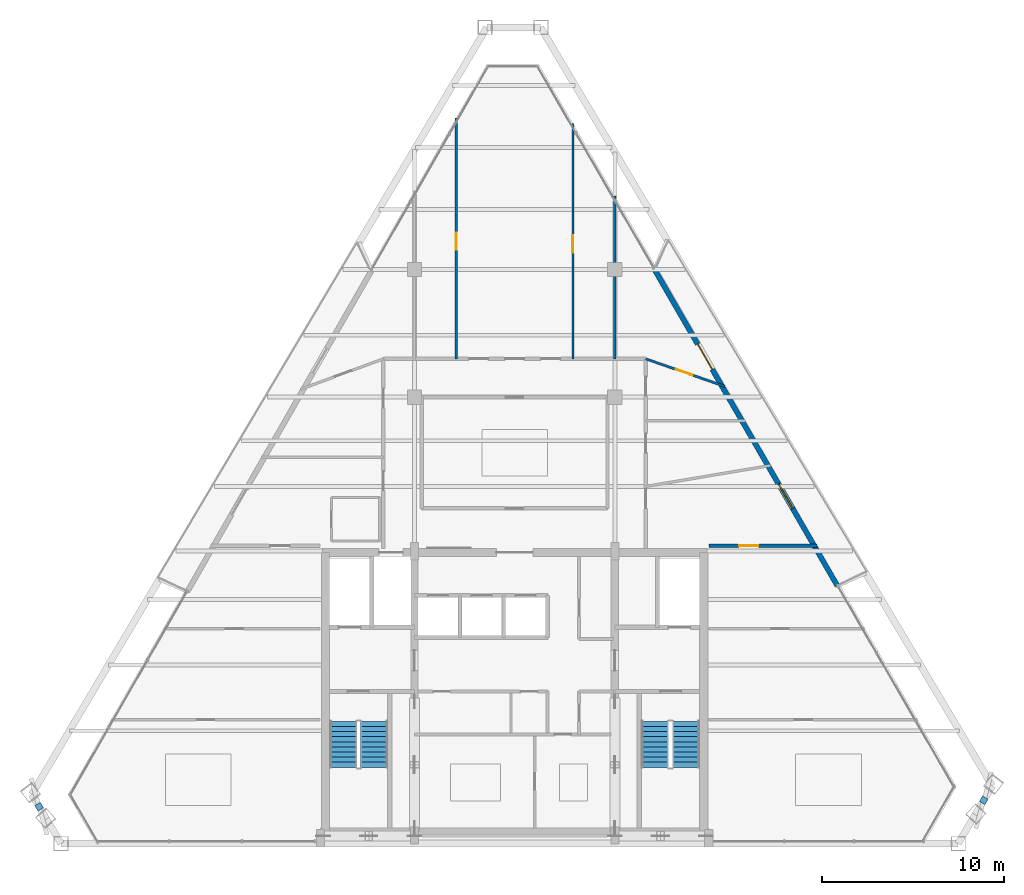
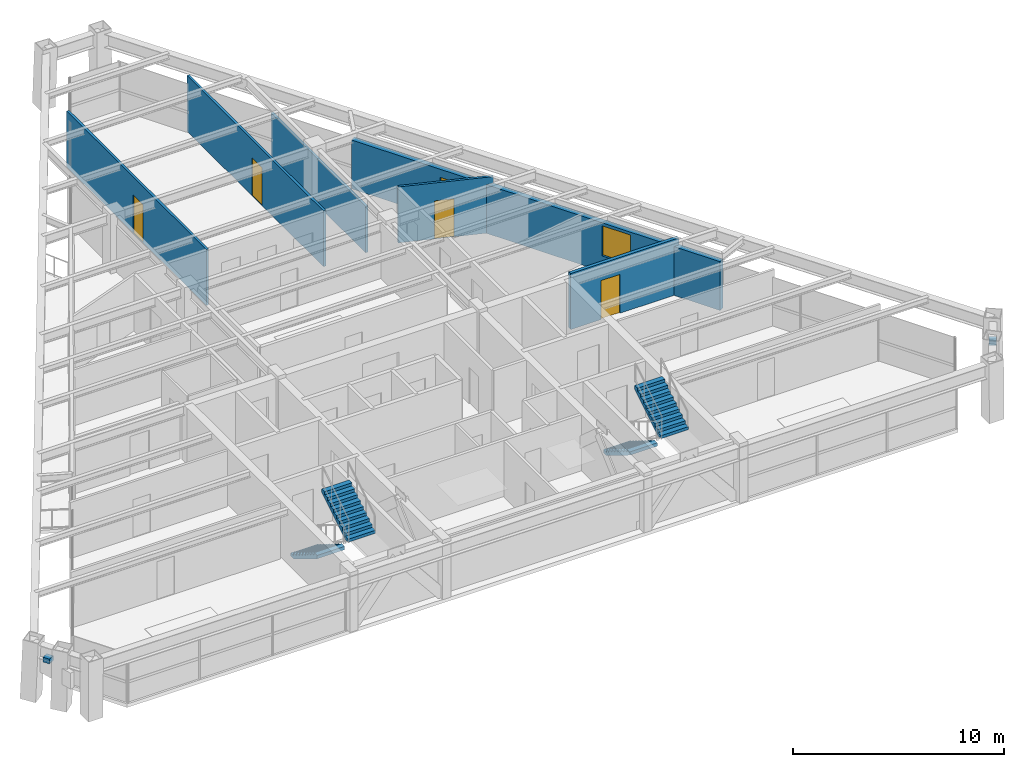
# One storey, part 11 of 13: 6 walls, 5 doors, 4 stair flights, 2 discrete accessories, 1 window, 6 openings, 2 elements without a shape of their own.
"""IFC4 building model written with IfcOpenShell, lengths in metres."""

from ifc_helpers import new_model, si_unit, direction, frame, frame_2d, origin, origin_2d, place, context, subcontext, project, spatial, polyline, rectangle, outline, extrude, source, transform, mapped, material, layer, layer_set, type_object, type_shapes, element, fill, aggregate, save


model = new_model("IFC4")

# Units and contexts
model_context = context("Model", 3, precision=1e-05, world=origin(), true_north=direction((0.0, 1.0)))
body_context = subcontext(model_context, "Body", "Model", "MODEL_VIEW")
ifc_project = project(units=[si_unit("LENGTHUNIT", "METRE"), si_unit("AREAUNIT", "SQUARE_METRE"), si_unit("VOLUMEUNIT", "CUBIC_METRE"), si_unit("PLANEANGLEUNIT", "RADIAN"), si_unit("MASSUNIT", "GRAM", prefix="KILO")], contexts=[model_context])

# Site, building, storey
site_placement = place(None, origin())
site = spatial("IfcSite", under=ifc_project, at=site_placement, CompositionType="ELEMENT")
building_placement = place(site_placement, origin())
building = spatial("IfcBuilding", under=site, at=building_placement, Name="Varnakhor Terracotta Tower", CompositionType="ELEMENT")
storey_placement = place(building_placement, frame((0.0, 0.0, 293.699951171875)))
storey = spatial("IfcBuildingStorey", under=building, at=storey_placement, Name="L77", CompositionType="ELEMENT", Elevation=293.699951171875)

# Wall, opening, door
ifc_material_1 = material(Name="Fire-Rated Gypsum Stud Partition", Category="gypsum")
ifc_layer_1 = layer(ifc_material_1, 0.18505859375, Name="Fire-Rated Gypsum Stud Partition")
ifc_layer_set_1 = layer_set([ifc_layer_1], Name="Fire-Rated Gypsum Stud Partition")
wall_type_1 = type_object("IfcWallType", Name="WAL-CORR-185", PredefinedType="PARTITIONING", material=ifc_layer_set_1)
wall_1_placement = place(storey_placement, frame((10.679931640625, 16.35009765625, 0.0), z_axis=(0.0, 0.0, 1.0), x_axis=(1.0, 0.0, 0.0)))
wall_1 = element("IfcWall", 1, at=wall_1_placement, inside=storey, type_object=wall_type_1, Name="L77 South East Guest Entry Wall", PredefinedType="PARTITIONING", context=body_context, shape_type="SweptSolid", body=[
    extrude(rectangle(XDim=5.908935546875, YDim=0.18505859375, at=frame_2d((2.95458984375, 0.0))), origin(), (0.0, 0.0, 1.0), 3.23193359375),
])
opening_1_placement = place(wall_1_placement, frame((1.64501953125, 0.0, 0.0)))
opening_1 = element("IfcOpeningElement", 2, at=opening_1_placement, cuts=wall_1, Name="Opening DR-95", PredefinedType="OPENING", context=body_context, shape_type="SweptSolid", body=[
    extrude(rectangle(XDim=1.050048828125, YDim=2.25, at=frame_2d((0.52490234375, 1.125))), frame((0.0, 0.1025390625, 0.0), z_axis=(0.0, -1.0, 0.0), x_axis=(1.0, 0.0, 0.0)), (0.0, 0.0, 1.0), 0.205078125),
])
ifc_material_2 = material(Name="Solid-Core Timber Tenant/Hotel Entrance Door", Category="wood")
door_type_1 = type_object("IfcDoorType", Name="DR-SUITE-1050X2250", OperationType="NOTDEFINED", PredefinedType="DOOR", material=ifc_material_2)
shared_shape_1 = source(origin(), body_context, "Body", "SweptSolid", [
    extrude(rectangle(XDim=1.050048828125, YDim=2.25, at=frame_2d((0.52490234375, 1.125))), frame((0.0, 0.02490234375, 0.0), z_axis=(0.0, -1.0, 0.0), x_axis=(1.0, 0.0, 0.0)), (0.0, 0.0, 1.0), 0.050048828125),
])
type_shapes(door_type_1, [shared_shape_1])
door_1_placement = place(opening_1_placement, origin())
door_1 = element("IfcDoor", 3, at=door_1_placement, inside=storey, type_object=door_type_1, Name="L77 SE Suite Entry Door", OperationType="SINGLE_SWING_LEFT", OverallHeight=2.25, OverallWidth=1.050048828125, PredefinedType="DOOR", context=body_context, shape_type="MappedRepresentation", body=[
    mapped(shared_shape_1, transform((0.0, 0.0, 0.0), scale=1.0)),
])
fill(opening_1, door_1)

# Wall, openings, door, window
ifc_material_3 = material(Name="Extruded Architectural Terracotta Assembly", Category="masonry")
ifc_layer_2 = layer(ifc_material_3, 0.280029296875, Name="Extruded Architectural Terracotta Assembly")
ifc_layer_set_2 = layer_set([ifc_layer_2], Name="Extruded Architectural Terracotta Assembly")
wall_type_2 = type_object("IfcWallType", Name="WAL-EXT-TERRACOTTA-280", PredefinedType="SOLIDWALL", material=ifc_layer_set_2)
wall_2_placement = place(storey_placement, frame((7.625732421875, 31.593017578125, 0.0), z_axis=(0.0, 0.0, 1.0), x_axis=(0.500533605719, -0.865717107112, 0.0)))
wall_2 = element("IfcWall", 4, at=wall_2_placement, inside=storey, type_object=wall_type_2, Name="L77 E Loggia Insulated Terracotta Wall", PredefinedType="SOLIDWALL", context=body_context, shape_type="SweptSolid", body=[
    extrude(rectangle(XDim=20.14453125, YDim=0.280029296875, at=frame_2d((10.072265625, 0.0))), origin(), (0.0, 0.0, 1.0), 2.820068359375),
])
opening_2_placement = place(wall_2_placement, frame((4.834716796875, 0.0, 0.0)))
opening_2 = element("IfcOpeningElement", 5, at=opening_2_placement, cuts=wall_2, Name="Opening DR-62", PredefinedType="OPENING", context=body_context, shape_type="SweptSolid", body=[
    extrude(rectangle(XDim=1.60009765625, YDim=2.35009765625, at=frame_2d((0.800048828125, 1.175048828125))), frame((0.0, 0.14990234375, 0.0), z_axis=(0.0, -1.0, 0.0), x_axis=(1.0, 0.0, 0.0)), (0.0, 0.0, 1.0), 0.300048828125),
])
opening_3_placement = place(wall_2_placement, frame((13.6982421875, 0.0, 0.89990234375)))
opening_3 = element("IfcOpeningElement", 6, at=opening_3_placement, cuts=wall_2, Name="Opening WN-59", PredefinedType="OPENING", context=body_context, shape_type="SweptSolid", body=[
    extrude(rectangle(XDim=1.550048828125, YDim=1.75, at=frame_2d((0.77490234375, 0.875))), frame((0.0, 0.14990234375, 0.0), z_axis=(0.0, -1.0, 0.0), x_axis=(1.0, 0.0, 0.0)), (0.0, 0.0, 1.0), 0.300048828125),
])
ifc_material_4 = material(Name="Thermally Broken Sliding Glass Loggia Door", Category="glass")
door_type_2 = type_object("IfcDoorType", Name="DR-EXT-LOGGIA-1600X2350", OperationType="NOTDEFINED", PredefinedType="DOOR", material=ifc_material_4)
shared_shape_2 = source(origin(), body_context, "Body", "SweptSolid", [
    extrude(rectangle(XDim=1.60009765625, YDim=2.35009765625, at=frame_2d((0.800048828125, 1.175048828125))), frame((0.0, 0.02490234375, 0.0), z_axis=(0.0, -1.0, 0.0), x_axis=(1.0, 0.0, 0.0)), (0.0, 0.0, 1.0), 0.050048828125),
])
type_shapes(door_type_2, [shared_shape_2])
door_2_placement = place(opening_2_placement, origin())
door_2 = element("IfcDoor", 7, at=door_2_placement, inside=storey, type_object=door_type_2, Name="L77 E Recessed Loggia Sliding Door", OperationType="SLIDING_TO_RIGHT", OverallHeight=2.35009765625, OverallWidth=1.60009765625, PredefinedType="DOOR", context=body_context, shape_type="MappedRepresentation", body=[
    mapped(shared_shape_2, transform((0.0, 0.0, 0.0), scale=1.0)),
])
fill(opening_2, door_2)
ifc_material_5 = material(Name="Solar-Control Low-E Insulated Glass Unit", Category="glass")
window_type = type_object("IfcWindowType", Name="WIN-HTL-1500X1950", PartitioningType="SINGLE_PANEL", PredefinedType="WINDOW", material=ifc_material_5)
shared_shape_3 = source(origin(), body_context, "Body", "SweptSolid", [
    extrude(rectangle(XDim=1.550048828125, YDim=1.75, at=frame_2d((0.77490234375, 0.875))), frame((0.0, 0.030029296875, 0.0), z_axis=(0.0, -1.0, 0.0), x_axis=(1.0, 0.0, 0.0)), (0.0, 0.0, 1.0), 0.06005859375),
])
type_shapes(window_type, [shared_shape_3])
window_placement = place(opening_3_placement, origin())
window = element("IfcWindow", 8, at=window_placement, inside=storey, type_object=window_type, Name="L77 E Facet Punched Window", OverallHeight=1.75, OverallWidth=1.550048828125, PartitioningType="SINGLE_PANEL", PredefinedType="WINDOW", context=body_context, shape_type="MappedRepresentation", body=[
    mapped(shared_shape_3, transform((0.0, 0.0, 0.0), scale=1.0)),
])
fill(opening_3, window)

# Wall, opening, door
ifc_material_6 = material(Name="Acoustic Hotel Room Partition", Category="gypsum")
ifc_layer_3 = layer(ifc_material_6, 0.1298828125, Name="Acoustic Hotel Room Partition")
ifc_layer_set_3 = layer_set([ifc_layer_3], Name="Acoustic Hotel Room Partition")
wall_type_3 = type_object("IfcWallType", Name="WAL-PART-130", PredefinedType="PARTITIONING", material=ifc_layer_set_3)
wall_3_placement = place(storey_placement, frame((7.199951171875, 26.60009765625, 0.0), z_axis=(0.0, 0.0, 1.0), x_axis=(0.94445803841, -0.328632033866, 0.0)))
wall_3 = element("IfcWall", 9, at=wall_3_placement, inside=storey, type_object=wall_type_3, Name="L77 North East Suite South Wall", PredefinedType="PARTITIONING", context=body_context, shape_type="SweptSolid", body=[
    extrude(rectangle(XDim=4.589599609375, YDim=0.1298828125, at=frame_2d((2.294921875, 0.0))), origin(), (0.0, 0.0, 1.0), 3.23193359375),
])
opening_4_placement = place(wall_3_placement, frame((1.754638671875, 0.0, 0.0)))
opening_4 = element("IfcOpeningElement", 10, at=opening_4_placement, cuts=wall_3, Name="Opening DR-94", PredefinedType="OPENING", context=body_context, shape_type="SweptSolid", body=[
    extrude(rectangle(XDim=0.949951171875, YDim=2.199951171875, at=frame_2d((0.47509765625, 1.10009765625))), frame((0.0, 0.074951171875, 0.0), z_axis=(0.0, -1.0, 0.0), x_axis=(1.0, 0.0, 0.0)), (0.0, 0.0, 1.0), 0.14990234375),
])
ifc_material_7 = material(Name="Acoustic Glazed-Vision Timber Office Door", Category="wood")
door_type_3 = type_object("IfcDoorType", Name="DR-OFF-950X2200", OperationType="NOTDEFINED", PredefinedType="DOOR", material=ifc_material_7)
shared_shape_4 = source(origin(), body_context, "Body", "SweptSolid", [
    extrude(rectangle(XDim=0.949951171875, YDim=2.199951171875, at=frame_2d((0.47509765625, 1.10009765625))), frame((0.0, 0.02490234375, 0.0), z_axis=(0.0, -1.0, 0.0), x_axis=(1.0, 0.0, 0.0)), (0.0, 0.0, 1.0), 0.050048828125),
])
type_shapes(door_type_3, [shared_shape_4])
door_3_placement = place(opening_4_placement, origin())
door_3 = element("IfcDoor", 11, at=door_3_placement, inside=storey, type_object=door_type_3, Name="L77 Hearing Registry Office NE Door", OperationType="SINGLE_SWING_LEFT", OverallHeight=2.199951171875, OverallWidth=0.949951171875, PredefinedType="DOOR", context=body_context, shape_type="MappedRepresentation", body=[
    mapped(shared_shape_4, transform((0.0, 0.0, 0.0), scale=1.0)),
])
fill(opening_4, door_3)

# Wall
wall_4_placement = place(storey_placement, frame((5.5, 26.60009765625, 0.0), z_axis=(0.0, 0.0, 1.0), x_axis=(0.0, 1.0, 0.0)))
element("IfcWall", 12, at=wall_4_placement, inside=storey, type_object=wall_type_3, Name="L77 North East Column Wall", PredefinedType="PARTITIONING", context=body_context, shape_type="SweptSolid", body=[
    extrude(rectangle(XDim=8.92919921875, YDim=0.1298828125, at=frame_2d((4.464599609375, 0.0))), origin(), (0.0, 0.0, 1.0), 2.68310546875),
])

# Wall, opening, door
wall_5_placement = place(storey_placement, frame((-3.199951171875, 26.60009765625, 0.0), z_axis=(0.0, 0.0, 1.0), x_axis=(0.0, 1.0, 0.0)))
wall_5 = element("IfcWall", 13, at=wall_5_placement, inside=storey, type_object=wall_type_3, Name="L77 North Suite Split 1", PredefinedType="PARTITIONING", context=body_context, shape_type="SweptSolid", body=[
    extrude(rectangle(XDim=13.220458984375, YDim=0.1298828125, at=frame_2d((6.6103515625, 0.0))), origin(), (0.0, 0.0, 1.0), 3.23193359375),
])
opening_5_placement = place(wall_5_placement, frame((5.981689453125, 0.0, 0.0)))
opening_5 = element("IfcOpeningElement", 14, at=opening_5_placement, cuts=wall_5, Name="Opening DR-94", PredefinedType="OPENING", context=body_context, shape_type="SweptSolid", body=[
    extrude(rectangle(XDim=0.949951171875, YDim=2.199951171875, at=frame_2d((0.47509765625, 1.10009765625))), frame((0.0, 0.074951171875, 0.0), z_axis=(0.0, -1.0, 0.0), x_axis=(1.0, 0.0, 0.0)), (0.0, 0.0, 1.0), 0.14990234375),
])
door_4_placement = place(opening_5_placement, origin())
door_4 = element("IfcDoor", 15, at=door_4_placement, inside=storey, type_object=door_type_3, Name="L77 Wellness Yoga Gym 12 Door", OperationType="SINGLE_SWING_RIGHT", OverallHeight=2.199951171875, OverallWidth=0.949951171875, PredefinedType="DOOR", context=body_context, shape_type="MappedRepresentation", body=[
    mapped(shared_shape_4, transform((0.0, 0.0, 0.0), scale=1.0)),
])
fill(opening_5, door_4)

wall_6_placement = place(storey_placement, frame((3.199951171875, 26.60009765625, 0.0), z_axis=(0.0, 0.0, 1.0), x_axis=(0.0, 1.0, 0.0)))
wall_6 = element("IfcWall", 16, at=wall_6_placement, inside=storey, type_object=wall_type_3, Name="L77 North Suite Split 2", PredefinedType="PARTITIONING", context=body_context, shape_type="SweptSolid", body=[
    extrude(rectangle(XDim=12.907470703125, YDim=0.1298828125, at=frame_2d((6.45361328125, 0.0))), origin(), (0.0, 0.0, 1.0), 3.23193359375),
])
opening_6_placement = place(wall_6_placement, frame((5.827392578125, 0.0, 0.0)))
opening_6 = element("IfcOpeningElement", 17, at=opening_6_placement, cuts=wall_6, Name="Opening DR-94", PredefinedType="OPENING", context=body_context, shape_type="SweptSolid", body=[
    extrude(rectangle(XDim=0.949951171875, YDim=2.199951171875, at=frame_2d((0.47509765625, 1.10009765625))), frame((0.0, 0.074951171875, 0.0), z_axis=(0.0, -1.0, 0.0), x_axis=(1.0, 0.0, 0.0)), (0.0, 0.0, 1.0), 0.14990234375),
])
door_5_placement = place(opening_6_placement, origin())
door_5 = element("IfcDoor", 18, at=door_5_placement, inside=storey, type_object=door_type_3, Name="L77 Hearing Registry Office 11 Door", OperationType="SINGLE_SWING_LEFT", OverallHeight=2.199951171875, OverallWidth=0.949951171875, PredefinedType="DOOR", context=body_context, shape_type="MappedRepresentation", body=[
    mapped(shared_shape_4, transform((0.0, 0.0, 0.0), scale=1.0)),
])
fill(opening_6, door_5)

# Stair, stair flights
ifc_material_8 = material(Name="Concrete C40/50", Category="concrete")
stair_type = type_object("IfcStairType", Name="STR-CORE-HOTEL-1500", PredefinedType="HALF_TURN_STAIR", material=ifc_material_8)
stair_1_placement = place(storey_placement, origin())
stair_1 = element("IfcStair", 19, at=stair_1_placement, inside=storey, type_object=stair_type, Name="L77 Core Exit Stair ST-1", PredefinedType="HALF_TURN_STAIR")
stair_flight_type = type_object("IfcStairFlightType", Name="FLT-HOTEL-1500", PredefinedType="STRAIGHT", material=ifc_material_8)
stair_flight_1_placement = place(storey_placement, frame((-9.39990234375, 6.7099609375, 0.0), z_axis=(0.0, 0.0, 1.0), x_axis=(0.0, -1.0, 0.0)))
stair_flight_1 = element("IfcStairFlight", 20, at=stair_flight_1_placement, type_object=stair_flight_type, Name="ST-1 flight 1", NumberOfRisers=10, NumberOfTreads=9, PredefinedType="STRAIGHT", RiserHeight=0.1725, TreadLength=0.28, context=body_context, shape_type="SweptSolid", body=[
    extrude(outline(polyline([(0.0, 0.0), (0.0, 0.172607421875), (0.280029296875, 0.172607421875), (0.280029296875, 0.344970703125), (0.56005859375, 0.344970703125), (0.56005859375, 0.517578125), (0.840087890625, 0.517578125), (0.840087890625, 0.68994140625), (1.1201171875, 0.68994140625), (1.1201171875, 0.862548828125), (1.39990234375, 0.862548828125), (1.39990234375, 1.034912109375), (1.679931640625, 1.034912109375), (1.679931640625, 1.20751953125), (1.9599609375, 1.20751953125), (1.9599609375, 1.3798828125), (2.239990234375, 1.3798828125), (2.239990234375, 1.552490234375), (2.52001953125, 1.552490234375), (2.52001953125, 1.72509765625), (2.52001953125, 1.36474609375), (0.304931640625, 0.0), (0.0, 0.0)])), frame((0.0, 0.75, 0.0), z_axis=(0.0, -1.0, 0.0), x_axis=(1.0, 0.0, 0.0)), (0.0, 0.0, 1.0), 1.5),
])
stair_flight_2_placement = place(storey_placement, frame((-7.699951171875, 4.18994140625, 1.72509765625), z_axis=(0.0, 0.0, 1.0), x_axis=(0.0, 1.0, 0.0)))
stair_flight_2 = element("IfcStairFlight", 21, at=stair_flight_2_placement, type_object=stair_flight_type, Name="ST-1 flight 2", NumberOfRisers=10, NumberOfTreads=9, PredefinedType="STRAIGHT", RiserHeight=0.1725, TreadLength=0.28, context=body_context, shape_type="SweptSolid", body=[
    extrude(outline(polyline([(0.0, 0.0), (0.0, 0.172607421875), (0.280029296875, 0.172607421875), (0.280029296875, 0.344970703125), (0.56005859375, 0.344970703125), (0.56005859375, 0.517578125), (0.840087890625, 0.517578125), (0.840087890625, 0.68994140625), (1.1201171875, 0.68994140625), (1.1201171875, 0.862548828125), (1.39990234375, 0.862548828125), (1.39990234375, 1.034912109375), (1.679931640625, 1.034912109375), (1.679931640625, 1.20751953125), (1.9599609375, 1.20751953125), (1.9599609375, 1.3798828125), (2.239990234375, 1.3798828125), (2.239990234375, 1.552490234375), (2.52001953125, 1.552490234375), (2.52001953125, 1.72509765625), (2.52001953125, 1.36474609375), (0.304931640625, 0.0), (0.0, 0.0)])), frame((0.0, 0.75, 0.0), z_axis=(0.0, -1.0, 0.0), x_axis=(1.0, 0.0, 0.0)), (0.0, 0.0, 1.0), 1.5),
])
aggregate(stair_1, [stair_flight_1, stair_flight_2])

stair_2_placement = place(storey_placement, origin())
stair_2 = element("IfcStair", 22, at=stair_2_placement, inside=storey, type_object=stair_type, Name="L77 Core Exit Stair ST-2", PredefinedType="HALF_TURN_STAIR")
stair_flight_3_placement = place(storey_placement, frame((7.699951171875, 6.7099609375, 0.0), z_axis=(0.0, 0.0, 1.0), x_axis=(0.0, -1.0, 0.0)))
stair_flight_3 = element("IfcStairFlight", 23, at=stair_flight_3_placement, type_object=stair_flight_type, Name="ST-2 flight 1", NumberOfRisers=10, NumberOfTreads=9, PredefinedType="STRAIGHT", RiserHeight=0.1725, TreadLength=0.28, context=body_context, shape_type="SweptSolid", body=[
    extrude(outline(polyline([(0.0, 0.0), (0.0, 0.172607421875), (0.280029296875, 0.172607421875), (0.280029296875, 0.344970703125), (0.56005859375, 0.344970703125), (0.56005859375, 0.517578125), (0.840087890625, 0.517578125), (0.840087890625, 0.68994140625), (1.1201171875, 0.68994140625), (1.1201171875, 0.862548828125), (1.39990234375, 0.862548828125), (1.39990234375, 1.034912109375), (1.679931640625, 1.034912109375), (1.679931640625, 1.20751953125), (1.9599609375, 1.20751953125), (1.9599609375, 1.3798828125), (2.239990234375, 1.3798828125), (2.239990234375, 1.552490234375), (2.52001953125, 1.552490234375), (2.52001953125, 1.72509765625), (2.52001953125, 1.36474609375), (0.304931640625, 0.0), (0.0, 0.0)])), frame((0.0, 0.75, 0.0), z_axis=(0.0, -1.0, 0.0), x_axis=(1.0, 0.0, 0.0)), (0.0, 0.0, 1.0), 1.5),
])
stair_flight_4_placement = place(storey_placement, frame((9.39990234375, 4.18994140625, 1.72509765625), z_axis=(0.0, 0.0, 1.0), x_axis=(0.0, 1.0, 0.0)))
stair_flight_4 = element("IfcStairFlight", 24, at=stair_flight_4_placement, type_object=stair_flight_type, Name="ST-2 flight 2", NumberOfRisers=10, NumberOfTreads=9, PredefinedType="STRAIGHT", RiserHeight=0.1725, TreadLength=0.28, context=body_context, shape_type="SweptSolid", body=[
    extrude(outline(polyline([(0.0, 0.0), (0.0, 0.172607421875), (0.280029296875, 0.172607421875), (0.280029296875, 0.344970703125), (0.56005859375, 0.344970703125), (0.56005859375, 0.517578125), (0.840087890625, 0.517578125), (0.840087890625, 0.68994140625), (1.1201171875, 0.68994140625), (1.1201171875, 0.862548828125), (1.39990234375, 0.862548828125), (1.39990234375, 1.034912109375), (1.679931640625, 1.034912109375), (1.679931640625, 1.20751953125), (1.9599609375, 1.20751953125), (1.9599609375, 1.3798828125), (2.239990234375, 1.3798828125), (2.239990234375, 1.552490234375), (2.52001953125, 1.552490234375), (2.52001953125, 1.72509765625), (2.52001953125, 1.36474609375), (0.304931640625, 0.0), (0.0, 0.0)])), frame((0.0, 0.75, 0.0), z_axis=(0.0, -1.0, 0.0), x_axis=(1.0, 0.0, 0.0)), (0.0, 0.0, 1.0), 1.5),
])
aggregate(stair_2, [stair_flight_3, stair_flight_4])

# Discrete accessories
ifc_material_9 = material(Name="Stainless Steel Fixing Bracket", Category="steel")
discrete_accessory_type = type_object("IfcDiscreteAccessoryType", Name="BRACKET-TERRACOTTA-SCREEN", PredefinedType="BRACKET", material=ifc_material_9)
shared_shape_5 = source(origin(), body_context, "Body", "SweptSolid", [
    extrude(rectangle(XDim=0.35009765625, YDim=0.35009765625, at=origin_2d()), origin(), (0.0, 0.0, 1.0), 0.280029296875),
])
type_shapes(discrete_accessory_type, [shared_shape_5])
for number, where, z_axis, x_axis, name in (
    (25, (25.744140625, 2.376953125, 2.3369140625), (0.0, 0.0, 1.0), (0.510287772138, 0.860003714879, 0.0), "L77 E Screen Fixing Bracket"),
    (26, (-26.09521484375, 2.027587890625, 2.3369140625), (0.0, 0.0, 1.0), (0.511713010209, -0.859156443951, 0.0), "L77 W Screen Fixing Bracket"),
):
    element("IfcDiscreteAccessory", number, at=place(storey_placement, frame(where, z_axis=z_axis, x_axis=x_axis)), inside=storey, type_object=discrete_accessory_type, Name=name, PredefinedType="BRACKET", context=body_context, shape_type="MappedRepresentation", body=[
        mapped(shared_shape_5, transform((0.0, 0.0, 0.0), scale=1.0)),
    ])

save(model, "model.ifc")
